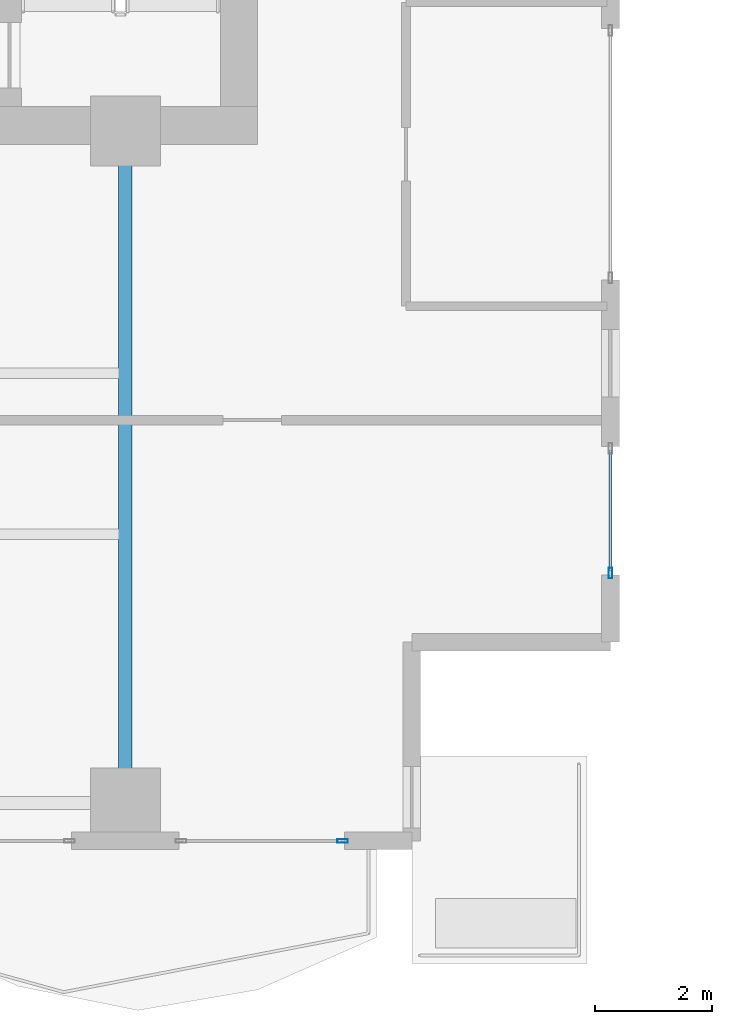
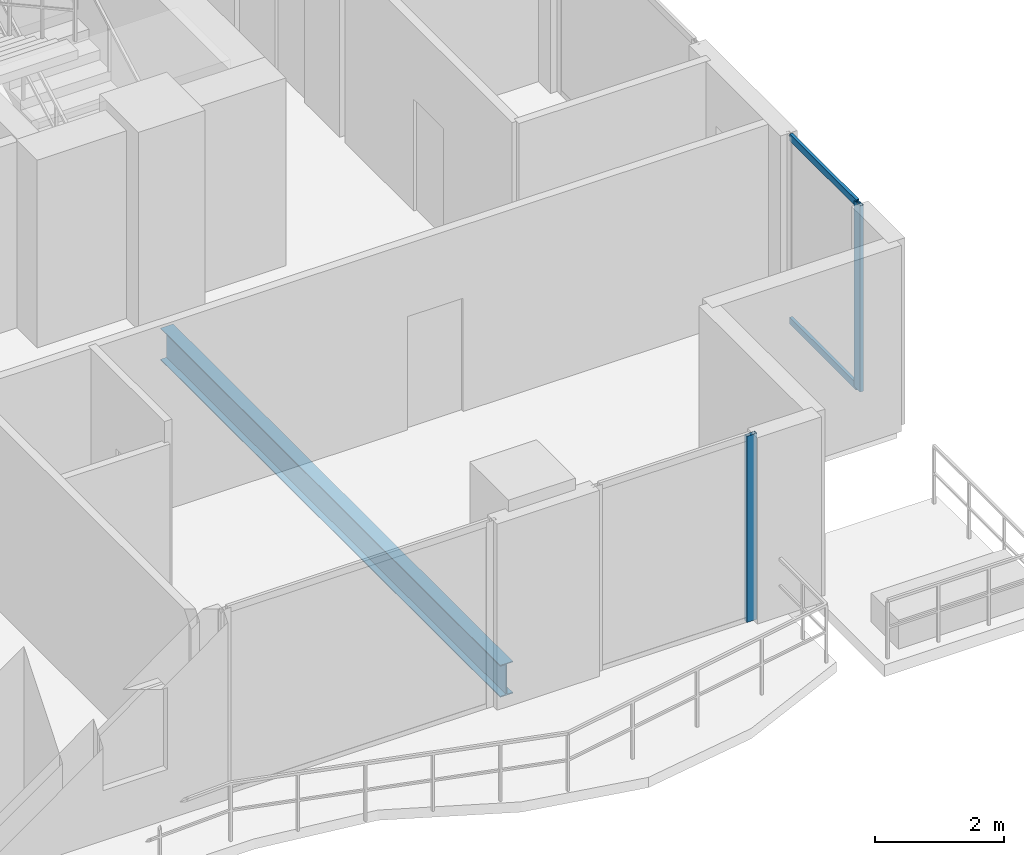
# One storey, part 12 of 32: 4 members, 1 beam, 2 elements without a shape of their own.
"""IFC4 building model written with IfcOpenShell, lengths in metres."""

from ifc_helpers import new_model, si_unit, direction, frame, origin, origin_2d, place, context, subcontext, project, spatial, hollow_rectangle, i_section, extrude, material, layer, layer_set, material_profile, profile_set, type_object, element, aggregate, save


model = new_model("IFC4")

# Units and contexts
model_context = context("Model", 3, precision=1e-05, world=origin(), true_north=direction((0.0, 1.0)))
body_context = subcontext(model_context, "Body", "Model", "MODEL_VIEW")
ifc_project = project(units=[si_unit("LENGTHUNIT", "METRE"), si_unit("AREAUNIT", "SQUARE_METRE"), si_unit("VOLUMEUNIT", "CUBIC_METRE"), si_unit("PLANEANGLEUNIT", "RADIAN"), si_unit("MASSUNIT", "GRAM", prefix="KILO")], contexts=[model_context])

# Site, building, storey
site_placement = place(None, origin())
site = spatial("IfcSite", under=ifc_project, at=site_placement, CompositionType="ELEMENT")
building_placement = place(site_placement, origin())
building = spatial("IfcBuilding", under=site, at=building_placement, Name="Zuhayl Quay Hotel", CompositionType="ELEMENT")
storey_placement = place(building_placement, frame((0.0, 0.0, 203.64990234375)))
storey = spatial("IfcBuildingStorey", under=building, at=storey_placement, Name="L51", CompositionType="ELEMENT", Elevation=203.64990234375)

# Beam
ifc_material_1 = material(Name="Steel ASTM A992 Grade 50", Category="steel")
ifc_material_profile_1 = material_profile(ifc_material_1, i_section(OverallWidth=0.22802734375, OverallDepth=0.60693359375, WebThickness=0.01123046875, FlangeThickness=0.017333984375, at=origin_2d()), Name="W24X76")
ifc_profile_set_1 = profile_set([ifc_material_profile_1], Name="Steel ASTM A992 Grade 50")
beam_type = type_object("IfcBeamType", Name="BM_B3_W24X76", PredefinedType="BEAM", material=ifc_profile_set_1)
beam_placement = place(storey_placement, frame((13.800048828125, -6.449951171875, -0.5234375), z_axis=(0.0, 1.0, 0.0), x_axis=(-1.0, 0.0, 0.0)))
element("IfcBeam", 1, at=beam_placement, inside=storey, type_object=beam_type, Name="L51 Floor Beam FG_S_L51_4", PredefinedType="BEAM", context=body_context, shape_type="SweptSolid", body=[
    extrude(i_section(OverallWidth=0.22802734375, OverallDepth=0.60693359375, WebThickness=0.01123046875, FlangeThickness=0.017333984375, at=origin_2d()), origin(), (0.0, 0.0, 1.0), 10.550048828125),
])

# Curtain wall, member
ifc_material_2 = material(Name="Anodised Aluminium 6063-T6", Category="aluminium")
ifc_layer = layer(ifc_material_2, 0.175048828125, Name="Anodised Aluminium 6063-T6", Category="aluminium")
ifc_layer_set = layer_set([ifc_layer], Name="Anodised Aluminium 6063-T6")
curtain_wall_type = type_object("IfcCurtainWallType", Name="CW_SYS_Z3", PredefinedType="USERDEFINED", material=ifc_layer_set)
curtain_wall_1_placement = place(storey_placement, origin())
curtain_wall_1 = element("IfcCurtainWall", 2, at=curtain_wall_1_placement, inside=storey, type_object=curtain_wall_type, Name="L51 Curtain Wall ENV_L51_E14_CW2", ObjectType="UNITISED CURTAIN WALL", PredefinedType="USERDEFINED")
ifc_material_3 = material(Name="Black-anodised aluminium 6063-T6", Category="aluminium")
ifc_material_profile_2 = material_profile(ifc_material_3, hollow_rectangle(XDim=0.06494140625, YDim=0.179931640625, WallThickness=0.00341796875, at=origin_2d()), Name="ALU180X65")
ifc_profile_set_2 = profile_set([ifc_material_profile_2], Name="Black-anodised aluminium 6063-T6")
member_type_1 = type_object("IfcMemberType", Name="MB_CW_MUL_180", PredefinedType="MULLION", material=ifc_profile_set_2)
member_1_placement = place(storey_placement, frame((22.10009765625, -3.017578125, 0.0), z_axis=(0.0, 0.0, 1.0), x_axis=(1.0, 0.0, 0.0)))
member_1 = element("IfcMember", 3, at=member_1_placement, type_object=member_type_1, Name="CW-Z3 mullion 2", PredefinedType="MULLION", context=body_context, shape_type="SweptSolid", body=[
    extrude(hollow_rectangle(XDim=0.06494140625, YDim=0.179931640625, WallThickness=0.00341796875, at=origin_2d()), origin(), (0.0, 0.0, 1.0), 3.530029296875),
])

curtain_wall_2_placement = place(storey_placement, origin())
curtain_wall_2 = element("IfcCurtainWall", 4, at=curtain_wall_2_placement, inside=storey, type_object=curtain_wall_type, Name="L51 Curtain Wall ENV_L51_S_CW1", ObjectType="UNITISED CURTAIN WALL", PredefinedType="USERDEFINED")
member_2_placement = place(storey_placement, frame((17.517578125, -7.60009765625, 0.0), z_axis=(0.0, 0.0, 1.0), x_axis=(0.0, -1.0, 0.0)))
member_2 = element("IfcMember", 5, at=member_2_placement, type_object=member_type_1, Name="CW-Z3 mullion 1", PredefinedType="MULLION", context=body_context, shape_type="SweptSolid", body=[
    extrude(hollow_rectangle(XDim=0.06494140625, YDim=0.179931640625, WallThickness=0.00341796875, at=origin_2d()), origin(), (0.0, 0.0, 1.0), 3.530029296875),
])
aggregate(curtain_wall_2, [member_2])

# Member
ifc_material_profile_3 = material_profile(ifc_material_3, hollow_rectangle(XDim=0.054931640625, YDim=0.1298828125, WallThickness=0.0029296875, at=origin_2d()), Name="ALU130X55")
ifc_profile_set_3 = profile_set([ifc_material_profile_3], Name="Black-anodised aluminium 6063-T6")
member_type_2 = type_object("IfcMemberType", Name="MB_CW_TRN_130", PredefinedType="USERDEFINED", material=ifc_profile_set_3)
member_3_placement = place(storey_placement, frame((22.10009765625, -0.9150390625, 0.027587890625), z_axis=(0.0, -1.0, 0.0), x_axis=(1.0, 0.0, 0.0)))
member_3 = element("IfcMember", 6, at=member_3_placement, type_object=member_type_2, Name="CW-Z3 transom 1.1", ObjectType="TRANSOM", PredefinedType="USERDEFINED", context=body_context, shape_type="SweptSolid", body=[
    extrude(hollow_rectangle(XDim=0.054931640625, YDim=0.1298828125, WallThickness=0.0029296875, at=origin_2d()), origin(), (0.0, 0.0, 1.0), 2.070068359375),
])

member_4_placement = place(storey_placement, frame((22.10009765625, -0.9150390625, 3.502685546875), z_axis=(0.0, -1.0, 0.0), x_axis=(1.0, 0.0, 0.0)))
member_4 = element("IfcMember", 7, at=member_4_placement, type_object=member_type_2, Name="CW-Z3 transom 1.2", ObjectType="TRANSOM", PredefinedType="USERDEFINED", context=body_context, shape_type="SweptSolid", body=[
    extrude(hollow_rectangle(XDim=0.054931640625, YDim=0.1298828125, WallThickness=0.0029296875, at=origin_2d()), origin(), (0.0, 0.0, 1.0), 2.070068359375),
])

aggregate(curtain_wall_1, [member_1, member_3, member_4])

save(model, "model.ifc")
